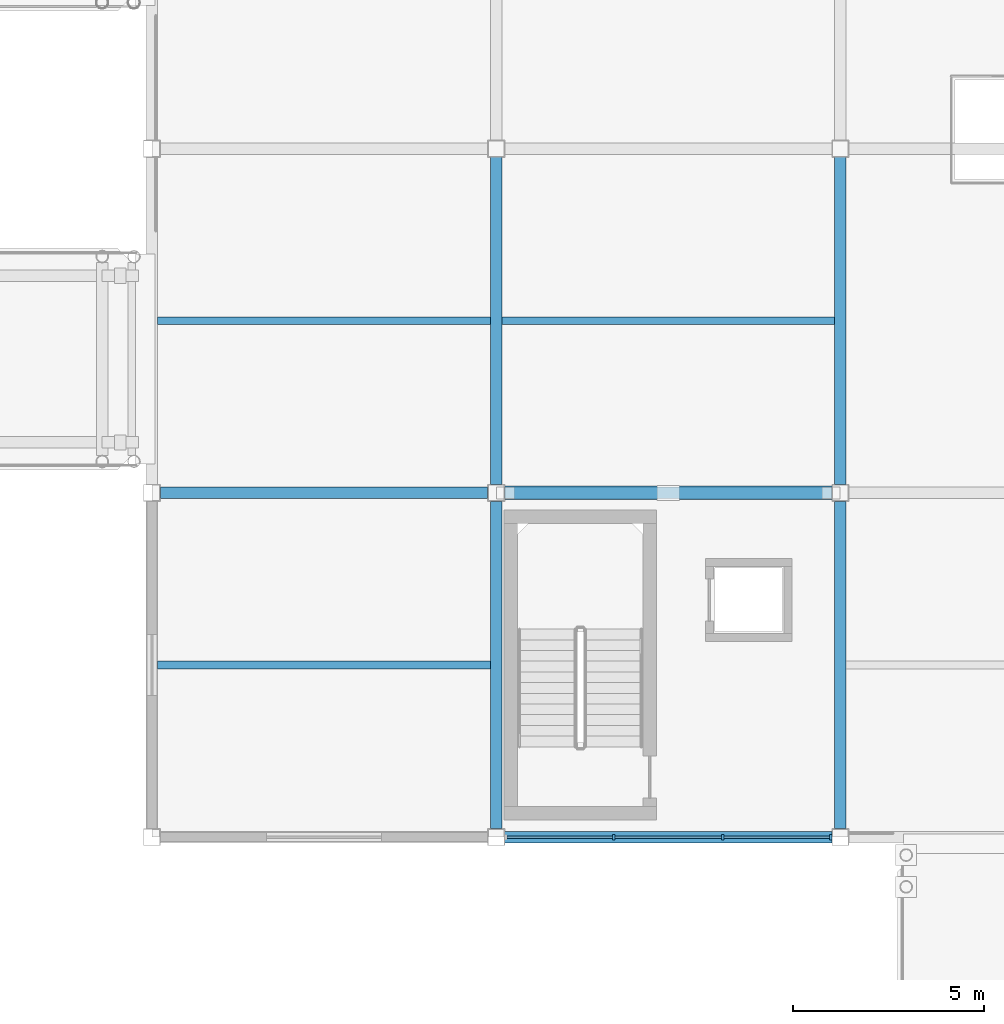
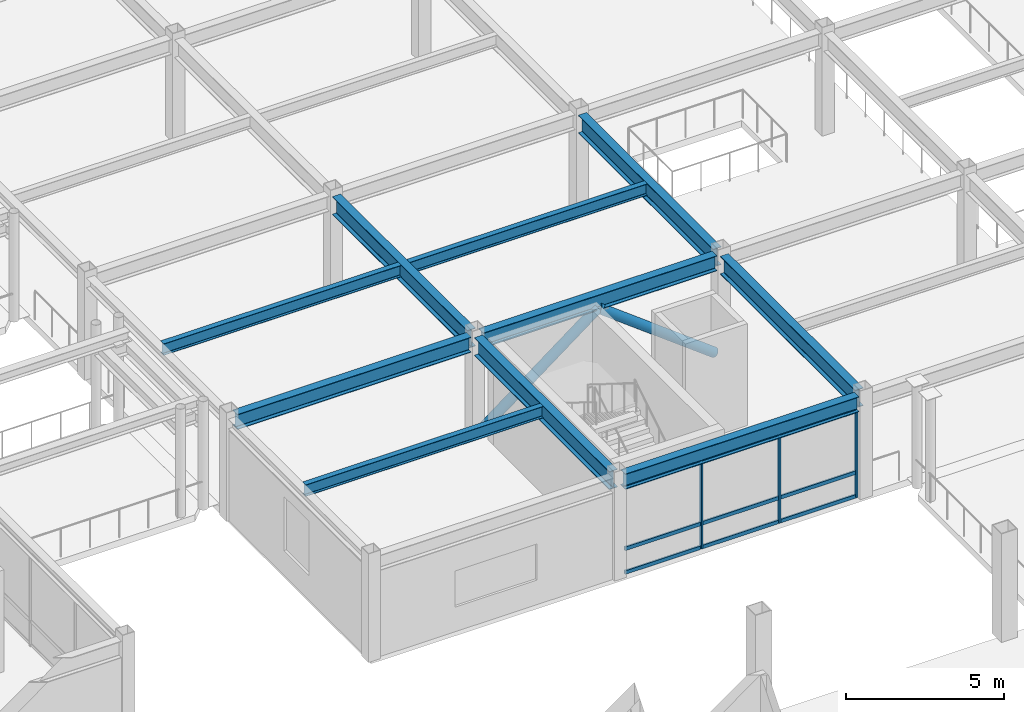
# One storey, part 33 of 105: 14 members, 10 beams, 1 element without a shape of its own.
"""IFC4 building model written with IfcOpenShell, lengths in metres."""

from ifc_helpers import new_model, si_unit, direction, frame, origin, origin_2d, place, context, subcontext, project, spatial, rectangle, hollow_circle, i_section, extrude, material, material_profile, profile_set, type_object, element, aggregate, save


model = new_model("IFC4")

# Units and contexts
model_context = context("Model", 3, precision=1e-05, world=origin(), true_north=direction((0.0, 1.0)))
body_context = subcontext(model_context, "Body", "Model", "MODEL_VIEW")
ifc_project = project(units=[si_unit("LENGTHUNIT", "METRE"), si_unit("AREAUNIT", "SQUARE_METRE"), si_unit("VOLUMEUNIT", "CUBIC_METRE"), si_unit("PLANEANGLEUNIT", "RADIAN"), si_unit("MASSUNIT", "GRAM", prefix="KILO")], contexts=[model_context])

# Site, building, storey
site_placement = place(None, origin())
site = spatial("IfcSite", under=ifc_project, at=site_placement, CompositionType="ELEMENT")
building_placement = place(site_placement, origin())
building = spatial("IfcBuilding", under=site, at=building_placement, Name="Suzunagisa Mobility Hub", CompositionType="ELEMENT")
storey_placement = place(building_placement, frame((0.0, 0.0, 5.10009765625)))
storey = spatial("IfcBuildingStorey", under=building, at=storey_placement, Name="L01", CompositionType="ELEMENT", Elevation=5.10009765625)

# Curtain wall, members
ifc_material_1 = material(Name="Thermally Broken Anodized Aluminum and Low-E Glazing", Category="aluminium")
curtain_wall_type = type_object("IfcCurtainWallType", Name="Unitised Curtain Wall CW-29 8500x3400", PredefinedType="USERDEFINED", material=ifc_material_1)
curtain_wall_placement = place(storey_placement, origin())
curtain_wall = element("IfcCurtainWall", 1, at=curtain_wall_placement, inside=storey, type_object=curtain_wall_type, Name="L01 Unitised Curtain Wall CW-100", ObjectType="UNITISED CURTAIN WALL", PredefinedType="USERDEFINED")
ifc_material_2 = material(Name="Anodized Aluminum 6063-T6", Category="aluminium")
ifc_material_profile_1 = material_profile(ifc_material_2, rectangle(XDim=0.06494140625, YDim=0.139892578125, at=origin_2d()), Name="TRAN-65x140")
ifc_profile_set_1 = profile_set([ifc_material_profile_1], Name="Anodized Aluminum 6063-T6")
member_type_1 = type_object("IfcMemberType", Name="Curtain Wall Framing CM-01 TRAN-65x140", PredefinedType="USERDEFINED", material=ifc_profile_set_1)
member_1_placement = place(storey_placement, frame((54.282958984375, 80.0, 0.032470703125), z_axis=(1.0, 0.0, 0.0), x_axis=(0.0, 1.0, 0.0)))
member_1 = element("IfcMember", 2, at=member_1_placement, type_object=member_type_1, Name="Curtain Wall Transom 100-T1.1", ObjectType="TRANSOM", PredefinedType="USERDEFINED", context=body_context, shape_type="SweptSolid", body=[
    extrude(rectangle(XDim=0.06494140625, YDim=0.139892578125, at=origin_2d()), origin(), (0.0, 0.0, 1.0), 2.76416015625),
])
member_2_placement = place(storey_placement, frame((54.282958984375, 80.0, 0.949951171875), z_axis=(1.0, 0.0, 0.0), x_axis=(0.0, 1.0, 0.0)))
member_2 = element("IfcMember", 3, at=member_2_placement, type_object=member_type_1, Name="Curtain Wall Transom 100-T1.2", ObjectType="TRANSOM", PredefinedType="USERDEFINED", context=body_context, shape_type="SweptSolid", body=[
    extrude(rectangle(XDim=0.06494140625, YDim=0.139892578125, at=origin_2d()), origin(), (0.0, 0.0, 1.0), 2.76416015625),
])
member_3_placement = place(storey_placement, frame((54.282958984375, 80.0, 3.3193359375), z_axis=(1.0, 0.0, 0.0), x_axis=(0.0, 1.0, 0.0)))
member_3 = element("IfcMember", 4, at=member_3_placement, type_object=member_type_1, Name="Curtain Wall Transom 100-T1.3", ObjectType="TRANSOM", PredefinedType="USERDEFINED", context=body_context, shape_type="SweptSolid", body=[
    extrude(rectangle(XDim=0.06494140625, YDim=0.139892578125, at=origin_2d()), origin(), (0.0, 0.0, 1.0), 2.76416015625),
])
member_4_placement = place(storey_placement, frame((57.10302734375, 80.0, 0.032470703125), z_axis=(1.0, 0.0, 0.0), x_axis=(0.0, 1.0, 0.0)))
member_4 = element("IfcMember", 5, at=member_4_placement, type_object=member_type_1, Name="Curtain Wall Transom 100-T2.1", ObjectType="TRANSOM", PredefinedType="USERDEFINED", context=body_context, shape_type="SweptSolid", body=[
    extrude(rectangle(XDim=0.06494140625, YDim=0.139892578125, at=origin_2d()), origin(), (0.0, 0.0, 1.0), 2.7939453125),
])
member_5_placement = place(storey_placement, frame((57.10302734375, 80.0, 0.949951171875), z_axis=(1.0, 0.0, 0.0), x_axis=(0.0, 1.0, 0.0)))
member_5 = element("IfcMember", 6, at=member_5_placement, type_object=member_type_1, Name="Curtain Wall Transom 100-T2.2", ObjectType="TRANSOM", PredefinedType="USERDEFINED", context=body_context, shape_type="SweptSolid", body=[
    extrude(rectangle(XDim=0.06494140625, YDim=0.139892578125, at=origin_2d()), origin(), (0.0, 0.0, 1.0), 2.7939453125),
])
member_6_placement = place(storey_placement, frame((57.10302734375, 80.0, 3.3193359375), z_axis=(1.0, 0.0, 0.0), x_axis=(0.0, 1.0, 0.0)))
member_6 = element("IfcMember", 7, at=member_6_placement, type_object=member_type_1, Name="Curtain Wall Transom 100-T2.3", ObjectType="TRANSOM", PredefinedType="USERDEFINED", context=body_context, shape_type="SweptSolid", body=[
    extrude(rectangle(XDim=0.06494140625, YDim=0.139892578125, at=origin_2d()), origin(), (0.0, 0.0, 1.0), 2.7939453125),
])
member_7_placement = place(storey_placement, frame((59.952880859375, 80.0, 0.032470703125), z_axis=(1.0, 0.0, 0.0), x_axis=(0.0, 1.0, 0.0)))
member_7 = element("IfcMember", 8, at=member_7_placement, type_object=member_type_1, Name="Curtain Wall Transom 100-T3.1", ObjectType="TRANSOM", PredefinedType="USERDEFINED", context=body_context, shape_type="SweptSolid", body=[
    extrude(rectangle(XDim=0.06494140625, YDim=0.139892578125, at=origin_2d()), origin(), (0.0, 0.0, 1.0), 2.76416015625),
])
member_8_placement = place(storey_placement, frame((59.952880859375, 80.0, 0.949951171875), z_axis=(1.0, 0.0, 0.0), x_axis=(0.0, 1.0, 0.0)))
member_8 = element("IfcMember", 9, at=member_8_placement, type_object=member_type_1, Name="Curtain Wall Transom 100-T3.2", ObjectType="TRANSOM", PredefinedType="USERDEFINED", context=body_context, shape_type="SweptSolid", body=[
    extrude(rectangle(XDim=0.06494140625, YDim=0.139892578125, at=origin_2d()), origin(), (0.0, 0.0, 1.0), 2.76416015625),
])
member_9_placement = place(storey_placement, frame((59.952880859375, 80.0, 3.3193359375), z_axis=(1.0, 0.0, 0.0), x_axis=(0.0, 1.0, 0.0)))
member_9 = element("IfcMember", 10, at=member_9_placement, type_object=member_type_1, Name="Curtain Wall Transom 100-T3.3", ObjectType="TRANSOM", PredefinedType="USERDEFINED", context=body_context, shape_type="SweptSolid", body=[
    extrude(rectangle(XDim=0.06494140625, YDim=0.139892578125, at=origin_2d()), origin(), (0.0, 0.0, 1.0), 2.76416015625),
])
ifc_material_profile_2 = material_profile(ifc_material_2, rectangle(XDim=0.06005859375, YDim=0.14990234375, at=origin_2d()), Name="MULL-60x150")
ifc_profile_set_2 = profile_set([ifc_material_profile_2], Name="Anodized Aluminum 6063-T6")
member_type_2 = type_object("IfcMemberType", Name="Curtain Wall Framing CM-03 MULL-60x150", PredefinedType="MULLION", material=ifc_profile_set_2)
member_10_placement = place(storey_placement, frame((57.074951171875, 80.0, 0.0), z_axis=(0.0, 0.0, 1.0), x_axis=(1.0, 0.0, 0.0)))
member_10 = element("IfcMember", 11, at=member_10_placement, type_object=member_type_2, Name="Curtain Wall Mullion 100-M2", PredefinedType="MULLION", context=body_context, shape_type="SweptSolid", body=[
    extrude(rectangle(XDim=0.06005859375, YDim=0.14990234375, at=origin_2d()), origin(), (0.0, 0.0, 1.0), 3.351806640625),
])
member_11_placement = place(storey_placement, frame((59.925048828125, 80.0, 0.0), z_axis=(0.0, 0.0, 1.0), x_axis=(1.0, 0.0, 0.0)))
member_11 = element("IfcMember", 12, at=member_11_placement, type_object=member_type_2, Name="Curtain Wall Mullion 100-M3", PredefinedType="MULLION", context=body_context, shape_type="SweptSolid", body=[
    extrude(rectangle(XDim=0.06005859375, YDim=0.14990234375, at=origin_2d()), origin(), (0.0, 0.0, 1.0), 3.351806640625),
])
member_12_placement = place(storey_placement, frame((62.7451171875, 80.0, 0.0), z_axis=(0.0, 0.0, 1.0), x_axis=(1.0, 0.0, 0.0)))
member_12 = element("IfcMember", 13, at=member_12_placement, type_object=member_type_2, Name="Curtain Wall Mullion 100-M4", PredefinedType="MULLION", context=body_context, shape_type="SweptSolid", body=[
    extrude(rectangle(XDim=0.06005859375, YDim=0.14990234375, at=origin_2d()), origin(), (0.0, 0.0, 1.0), 3.351806640625),
])
aggregate(curtain_wall, [member_10, member_11, member_12, member_1, member_2, member_3, member_4, member_5, member_6, member_7, member_8, member_9])

# Members
ifc_material_3 = material(Name="Steel SN490B", Category="steel")
ifc_material_profile_3 = material_profile(ifc_material_3, hollow_circle(Radius=0.177734375, WallThickness=0.0126953125, at=origin_2d()), Name="CHS-355.6x12.7")
ifc_profile_set_3 = profile_set([ifc_material_profile_3], Name="Steel SN490B")
member_type_3 = type_object("IfcMemberType", Name="Roof Truss and Brace Member MB-03 CHS-355.6x12.7", PredefinedType="BRACE", material=ifc_profile_set_3)
for number, where, z_axis, x_axis, name in (
    (14, (54.2451171875, 89.0, 0.119873046875), (0.797577166711, 0.0, 0.603216928759), (0.0, 1.0, 0.0), "L01 Concentric Lateral Brace BR-29"),
    (15, (62.7548828125, 89.0, 0.119873046875), (-0.797577166711, 0.0, 0.603216928759), (0.0, -1.0, 0.0), "L01 Concentric Lateral Brace BR-30"),
):
    element("IfcMember", number, at=place(storey_placement, frame(where, z_axis=z_axis, x_axis=x_axis)), inside=storey, type_object=member_type_3, Name=name, PredefinedType="BRACE", context=body_context, shape_type="SweptSolid", body=[
        extrude(hollow_circle(Radius=0.177734375, WallThickness=0.0126953125, at=origin_2d()), origin(), (0.0, 0.0, 1.0), 5.334716796875),
    ])

# Beams
ifc_material_4 = material(Name="Steel SN400B", Category="steel")
ifc_material_profile_4 = material_profile(ifc_material_4, i_section(OverallWidth=0.199951171875, OverallDepth=0.449951171875, WebThickness=0.009033203125, FlangeThickness=0.013916015625, FilletRadius=0.012939453125, at=origin_2d()), Name="H-450x200x9x14")
ifc_profile_set_4 = profile_set([ifc_material_profile_4], Name="Steel SN400B")
beam_type_1 = type_object("IfcBeamType", Name="Steel Beam BM-05 H-450x200x9x14", PredefinedType="JOIST", material=ifc_profile_set_4)
for number, where, z_axis, x_axis, name in (
    (16, (45.14990234375, 84.5, 3.71484375), (1.0, 0.0, 0.0), (0.0, 1.0, 0.0), "L01 Composite Floor Joist J-886"),
    (17, (45.14990234375, 93.5, 3.71484375), (1.0, 0.0, 0.0), (0.0, 1.0, 0.0), "L01 Composite Floor Joist J-887"),
    (18, (54.14990234375, 93.5, 3.71484375), (1.0, 0.0, 0.0), (0.0, 1.0, 0.0), "L01 Composite Floor Joist J-890"),
):
    element("IfcBeam", number, at=place(storey_placement, frame(where, z_axis=z_axis, x_axis=x_axis)), inside=storey, type_object=beam_type_1, Name=name, PredefinedType="JOIST", context=body_context, shape_type="SweptSolid", body=[
        extrude(i_section(OverallWidth=0.199951171875, OverallDepth=0.449951171875, WebThickness=0.009033203125, FlangeThickness=0.013916015625, FilletRadius=0.012939453125, at=origin_2d()), origin(), (0.0, 0.0, 1.0), 8.7001953125),
    ])
ifc_material_profile_5 = material_profile(ifc_material_3, i_section(OverallWidth=0.300048828125, OverallDepth=0.699951171875, WebThickness=0.012939453125, FlangeThickness=0.02392578125, FilletRadius=0.01806640625, at=origin_2d()), Name="H-700x300x13x24")
ifc_profile_set_5 = profile_set([ifc_material_profile_5], Name="Steel SN490B")
beam_type_2 = type_object("IfcBeamType", Name="Steel Beam BM-11 H-700x300x13x24", PredefinedType="BEAM", material=ifc_profile_set_5)
for number, where, z_axis, x_axis, name in (
    (19, (54.0, 80.220947265625, 3.58984375), (0.0, 1.0, 0.0), (-1.0, 0.0, 0.0), "L01 Primary Girder GY-850"),
    (20, (54.0, 89.220947265625, 3.58984375), (0.0, 1.0, 0.0), (-1.0, 0.0, 0.0), "L01 Primary Girder GY-851"),
    (21, (63.0, 80.220947265625, 3.58984375), (0.0, 1.0, 0.0), (-1.0, 0.0, 0.0), "L01 Primary Girder GY-854"),
    (22, (63.0, 89.220947265625, 3.58984375), (0.0, 1.0, 0.0), (-1.0, 0.0, 0.0), "L01 Primary Girder GY-855"),
):
    element("IfcBeam", number, at=place(storey_placement, frame(where, z_axis=z_axis, x_axis=x_axis)), inside=storey, type_object=beam_type_2, Name=name, PredefinedType="BEAM", context=body_context, shape_type="SweptSolid", body=[
        extrude(i_section(OverallWidth=0.300048828125, OverallDepth=0.699951171875, WebThickness=0.012939453125, FlangeThickness=0.02392578125, FilletRadius=0.01806640625, at=origin_2d()), origin(), (0.0, 0.0, 1.0), 8.55810546875),
    ])
ifc_material_profile_6 = material_profile(ifc_material_3, i_section(OverallWidth=0.300048828125, OverallDepth=0.587890625, WebThickness=0.011962890625, FlangeThickness=0.02001953125, FilletRadius=0.012939453125, at=origin_2d()), Name="H-588x300x12x20")
ifc_profile_set_6 = profile_set([ifc_material_profile_6], Name="Steel SN490B")
beam_type_3 = type_object("IfcBeamType", Name="Steel Beam BM-16 H-588x300x12x20", PredefinedType="BEAM", material=ifc_profile_set_6)
for number, where, z_axis, x_axis, name in (
    (23, (54.220947265625, 80.0, 3.64599609375), (1.0, 0.0, 0.0), (0.0, 1.0, 0.0), "L01 Primary Girder GX-803"),
    (24, (45.220947265625, 89.0, 3.64599609375), (1.0, 0.0, 0.0), (0.0, 1.0, 0.0), "L01 Primary Girder GX-811"),
    (25, (54.220947265625, 89.0, 3.64599609375), (1.0, 0.0, 0.0), (0.0, 1.0, 0.0), "L01 Primary Girder GX-812"),
):
    element("IfcBeam", number, at=place(storey_placement, frame(where, z_axis=z_axis, x_axis=x_axis)), inside=storey, type_object=beam_type_3, Name=name, PredefinedType="BEAM", context=body_context, shape_type="SweptSolid", body=[
        extrude(i_section(OverallWidth=0.300048828125, OverallDepth=0.587890625, WebThickness=0.011962890625, FlangeThickness=0.02001953125, FilletRadius=0.012939453125, at=origin_2d()), origin(), (0.0, 0.0, 1.0), 8.55810546875),
    ])

save(model, "model.ifc")
